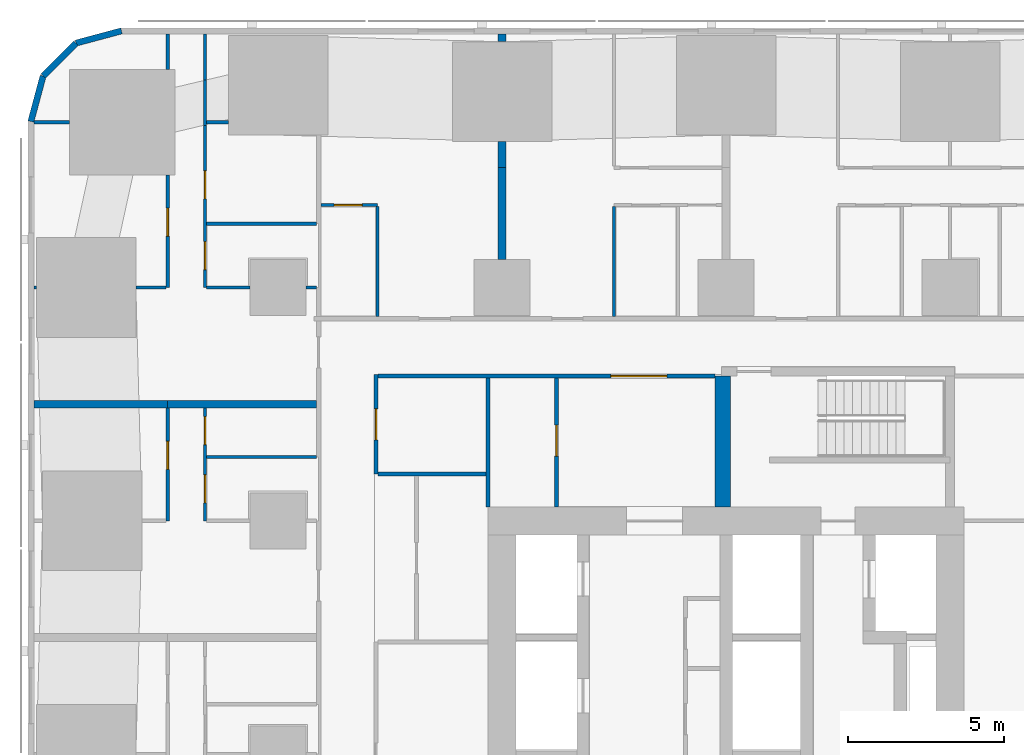
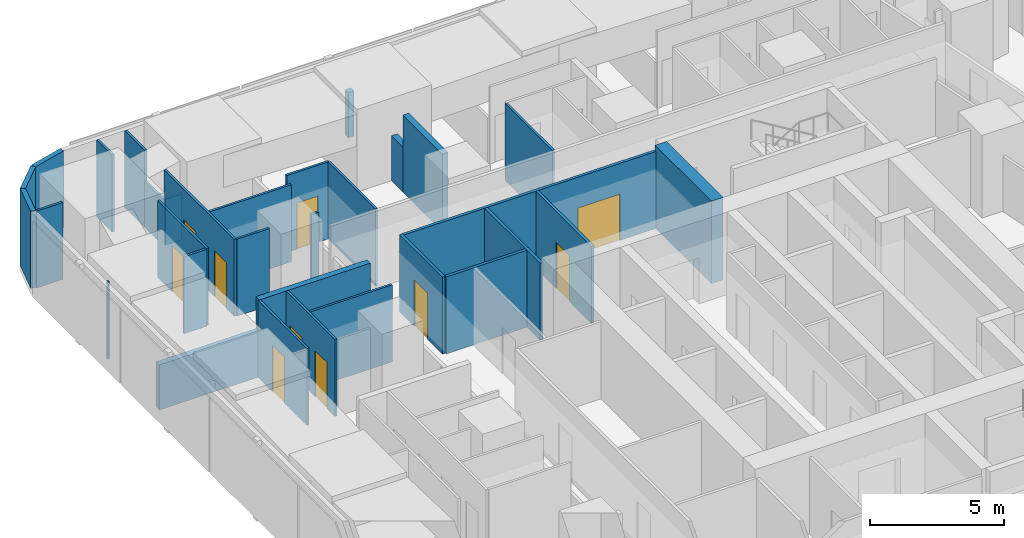
# One storey, part 11 of 17: 32 walls, 10 doors, 10 openings.
"""IFC4 building model written with IfcOpenShell, lengths in metres."""

from ifc_helpers import new_model, si_unit, direction, frame, frame_2d, origin, place, context, subcontext, project, spatial, rectangle, extrude, material, layer, layer_set, type_object, element, fill, save


model = new_model("IFC4")

# Units and contexts
model_context = context("Model", 3, precision=1e-05, world=origin(), true_north=direction((0.0, 1.0)))
body_context = subcontext(model_context, "Body", "Model", "MODEL_VIEW")
ifc_project = project(units=[si_unit("LENGTHUNIT", "METRE"), si_unit("AREAUNIT", "SQUARE_METRE"), si_unit("VOLUMEUNIT", "CUBIC_METRE"), si_unit("PLANEANGLEUNIT", "RADIAN"), si_unit("MASSUNIT", "GRAM", prefix="KILO")], contexts=[model_context])

# Site, building, storey
site_placement = place(None, origin())
site = spatial("IfcSite", under=ifc_project, at=site_placement, CompositionType="ELEMENT")
building_placement = place(site_placement, origin())
building = spatial("IfcBuilding", under=site, at=building_placement, Name="Sheger Commons Tower", CompositionType="ELEMENT")
storey_placement = place(building_placement, frame((0.0, 0.0, 23.75)))
storey = spatial("IfcBuildingStorey", under=building, at=storey_placement, Name="L05", CompositionType="ELEMENT", Elevation=23.75)

# Walls
ifc_material_1 = material(Name="Dense concrete block masonry, plastered both sides (separating wall between flats)", Category="masonry")
ifc_layer_1 = layer(ifc_material_1, 0.25)
ifc_layer_set_1 = layer_set([ifc_layer_1], Name="DEMISING WALL 250")
wall_type_1 = type_object("IfcWallType", Name="DEMISING WALL 250", PredefinedType="SOLIDWALL", material=ifc_layer_set_1)
wall_1_placement = place(storey_placement, frame((-0.64990234375, 33.75, 0.0), z_axis=(0.0, 0.0, 1.0), x_axis=(1.0, 0.0, 0.0)))
element("IfcWall", 1, at=wall_1_placement, inside=storey, type_object=wall_type_1, Name="Demising wall L05", PredefinedType="SOLIDWALL", context=body_context, shape_type="SweptSolid", body=[
    extrude(rectangle(XDim=4.2998046875, YDim=0.25, at=frame_2d((2.14990234375, 0.0))), origin(), (0.0, 0.0, 1.0), 2.050048828125),
])
wall_2_placement = place(storey_placement, frame((3.64990234375, 33.75, 0.0), z_axis=(0.0, 0.0, 1.0), x_axis=(1.0, 0.0, 0.0)))
element("IfcWall", 2, at=wall_2_placement, inside=storey, type_object=wall_type_1, Name="Demising wall L05", PredefinedType="SOLIDWALL", context=body_context, shape_type="SweptSolid", body=[
    extrude(rectangle(XDim=4.775146484375, YDim=0.25, at=frame_2d((2.3876953125, 0.0))), origin(), (0.0, 0.0, 1.0), 3.5),
])
wall_3_placement = place(storey_placement, frame((14.39990234375, 41.35009765625, 0.0), z_axis=(0.0, 0.0, 1.0), x_axis=(0.0, 1.0, 0.0)))
element("IfcWall", 3, at=wall_3_placement, inside=storey, type_object=wall_type_1, Name="Demising wall L05", PredefinedType="SOLIDWALL", context=body_context, shape_type="SweptSolid", body=[
    extrude(rectangle(XDim=0.848876953125, YDim=0.25, at=frame_2d((0.42431640625, 0.0))), origin(), (0.0, 0.0, 1.0), 2.050048828125),
])
wall_4_placement = place(storey_placement, frame((14.39990234375, 45.40087890625, 0.0), z_axis=(0.0, 0.0, 1.0), x_axis=(0.0, 1.0, 0.0)))
element("IfcWall", 4, at=wall_4_placement, inside=storey, type_object=wall_type_1, Name="Demising wall L05", PredefinedType="SOLIDWALL", context=body_context, shape_type="SweptSolid", body=[
    extrude(rectangle(XDim=0.2490234375, YDim=0.25, at=frame_2d((0.12451171875, 0.0))), origin(), (0.0, 0.0, 1.0), 2.050048828125),
])
wall_5_placement = place(storey_placement, frame((14.39990234375, 38.40087890625, 0.0), z_axis=(0.0, 0.0, 1.0), x_axis=(0.0, 1.0, 0.0)))
element("IfcWall", 5, at=wall_5_placement, inside=storey, type_object=wall_type_1, Name="Demising wall L05", PredefinedType="SOLIDWALL", context=body_context, shape_type="SweptSolid", body=[
    extrude(rectangle(XDim=2.94921875, YDim=0.25, at=frame_2d((1.474609375, 0.0))), origin(), (0.0, 0.0, 1.0), 3.5),
])
ifc_material_2 = material(Name="Rendered concrete block masonry, dark grey", Category="masonry")
ifc_layer_2 = layer(ifc_material_2, 0.199951171875)
ifc_layer_set_2 = layer_set([ifc_layer_2], Name="FACADE WALL 200")
wall_type_2 = type_object("IfcWallType", Name="FACADE WALL 200", PredefinedType="SOLIDWALL", material=ifc_layer_set_2)
wall_6_placement = place(storey_placement, frame((2.1630859375, 45.75, 0.0), z_axis=(0.0, 0.0, 1.0), x_axis=(-0.965832000415, -0.259168954497, 0.0)))
element("IfcWall", 6, at=wall_6_placement, inside=storey, type_object=wall_type_2, Name="Facade wall L05", PredefinedType="SOLIDWALL", context=body_context, shape_type="SweptSolid", body=[
    extrude(rectangle(XDim=1.512939453125, YDim=0.199951171875, at=frame_2d((0.75634765625, 0.0))), origin(), (0.0, 0.0, 1.0), 3.5),
])
wall_7_placement = place(storey_placement, frame((0.701904296875, 45.35791015625, 0.0), z_axis=(0.0, 0.0, 1.0), x_axis=(-0.707106781187, -0.707106781187, 0.0)))
element("IfcWall", 7, at=wall_7_placement, inside=storey, type_object=wall_type_2, Name="Facade wall L05", PredefinedType="SOLIDWALL", context=body_context, shape_type="SweptSolid", body=[
    extrude(rectangle(XDim=1.498779296875, YDim=0.199951171875, at=frame_2d((0.74951171875, 0.0))), origin(), (0.0, 0.0, 1.0), 3.5),
])
wall_8_placement = place(storey_placement, frame((-0.35791015625, 44.298095703125, 0.0), z_axis=(0.0, 0.0, 1.0), x_axis=(-0.259168954497, -0.965832000415, 0.0)))
element("IfcWall", 8, at=wall_8_placement, inside=storey, type_object=wall_type_2, Name="Facade wall L05", PredefinedType="SOLIDWALL", context=body_context, shape_type="SweptSolid", body=[
    extrude(rectangle(XDim=1.512939453125, YDim=0.199951171875, at=frame_2d((0.75634765625, 0.0))), origin(), (0.0, 0.0, 1.0), 3.5),
])

# Wall, opening, door
ifc_material_3 = material(Name="Gypsum board on steel studs", Category="steel")
ifc_layer_3 = layer(ifc_material_3, 0.10009765625)
ifc_layer_set_3 = layer_set([ifc_layer_3], Name="PARTITION 100")
wall_type_3 = type_object("IfcWallType", Name="PARTITION 100", PredefinedType="PARTITIONING", material=ifc_layer_set_3)
wall_9_placement = place(storey_placement, frame((3.64990234375, 30.0, 0.0), z_axis=(0.0, 0.0, 1.0), x_axis=(0.0, 1.0, 0.0)))
wall_9 = element("IfcWall", 9, at=wall_9_placement, inside=storey, type_object=wall_type_3, Name="Partition L05", PredefinedType="PARTITIONING", context=body_context, shape_type="SweptSolid", body=[
    extrude(rectangle(XDim=3.625, YDim=0.10009765625, at=frame_2d((1.8125, 0.0))), origin(), (0.0, 0.0, 1.0), 3.5),
])
opening_1_placement = place(wall_9_placement, frame((1.64990234375, 0.0, 0.0)))
opening_1 = element("IfcOpeningElement", 10, at=opening_1_placement, cuts=wall_9, Name="Opening D2", PredefinedType="OPENING", context=body_context, shape_type="SweptSolid", body=[
    extrude(rectangle(XDim=0.89990234375, YDim=2.10009765625, at=frame_2d((0.449951171875, 1.050048828125))), frame((0.0, 0.06005859375, 0.0), z_axis=(0.0, -1.0, 0.0), x_axis=(1.0, 0.0, 0.0)), (0.0, 0.0, 1.0), 0.1201171875),
])
ifc_material_4 = material(Name="Timber door set", Category="wood")
door_type_1 = type_object("IfcDoorType", Name="INTERNAL DOOR 900x2100", OperationType="NOTDEFINED", PredefinedType="DOOR", material=ifc_material_4)
door_1_placement = place(opening_1_placement, origin())
door_1 = element("IfcDoor", 11, at=door_1_placement, inside=storey, type_object=door_type_1, Name="Main bedroom door", OperationType="SINGLE_SWING_RIGHT", OverallHeight=2.10009765625, OverallWidth=0.89990234375, PredefinedType="DOOR", context=body_context, shape_type="SweptSolid", body=[
    extrude(rectangle(XDim=0.89990234375, YDim=2.10009765625, at=frame_2d((0.449951171875, 1.050048828125))), frame((0.0, 0.02490234375, 0.0), z_axis=(0.0, -1.0, 0.0), x_axis=(1.0, 0.0, 0.0)), (0.0, 0.0, 1.0), 0.050048828125),
])
fill(opening_1, door_1)

# Wall, openings, doors
wall_10_placement = place(storey_placement, frame((4.85009765625, 30.0, 0.0), z_axis=(0.0, 0.0, 1.0), x_axis=(0.0, 1.0, 0.0)))
wall_10 = element("IfcWall", 12, at=wall_10_placement, inside=storey, type_object=wall_type_3, Name="Partition L05", PredefinedType="PARTITIONING", context=body_context, shape_type="SweptSolid", body=[
    extrude(rectangle(XDim=3.625, YDim=0.10009765625, at=frame_2d((1.8125, 0.0))), origin(), (0.0, 0.0, 1.0), 3.5),
])
opening_2_placement = place(wall_10_placement, frame((0.574951171875, 0.0, 0.0)))
opening_2 = element("IfcOpeningElement", 13, at=opening_2_placement, cuts=wall_10, Name="Opening D2", PredefinedType="OPENING", context=body_context, shape_type="SweptSolid", body=[
    extrude(rectangle(XDim=0.89990234375, YDim=2.10009765625, at=frame_2d((0.449951171875, 1.050048828125))), frame((0.0, 0.06005859375, 0.0), z_axis=(0.0, -1.0, 0.0), x_axis=(1.0, 0.0, 0.0)), (0.0, 0.0, 1.0), 0.1201171875),
])
opening_3_placement = place(wall_10_placement, frame((2.449951171875, 0.0, 0.0)))
opening_3 = element("IfcOpeningElement", 14, at=opening_3_placement, cuts=wall_10, Name="Opening D2", PredefinedType="OPENING", context=body_context, shape_type="SweptSolid", body=[
    extrude(rectangle(XDim=0.89990234375, YDim=2.10009765625, at=frame_2d((0.449951171875, 1.050048828125))), frame((0.0, 0.06005859375, 0.0), z_axis=(0.0, -1.0, 0.0), x_axis=(1.0, 0.0, 0.0)), (0.0, 0.0, 1.0), 0.1201171875),
])
door_2_placement = place(opening_2_placement, origin())
door_2 = element("IfcDoor", 15, at=door_2_placement, inside=storey, type_object=door_type_1, Name="Bathroom door", OperationType="SINGLE_SWING_RIGHT", OverallHeight=2.10009765625, OverallWidth=0.89990234375, PredefinedType="DOOR", context=body_context, shape_type="SweptSolid", body=[
    extrude(rectangle(XDim=0.89990234375, YDim=2.10009765625, at=frame_2d((0.449951171875, 1.050048828125))), frame((0.0, 0.02490234375, 0.0), z_axis=(0.0, -1.0, 0.0), x_axis=(1.0, 0.0, 0.0)), (0.0, 0.0, 1.0), 0.050048828125),
])
fill(opening_2, door_2)
door_3_placement = place(opening_3_placement, origin())
door_3 = element("IfcDoor", 16, at=door_3_placement, inside=storey, type_object=door_type_1, Name="Store door", OperationType="SINGLE_SWING_LEFT", OverallHeight=2.10009765625, OverallWidth=0.89990234375, PredefinedType="DOOR", context=body_context, shape_type="SweptSolid", body=[
    extrude(rectangle(XDim=0.89990234375, YDim=2.10009765625, at=frame_2d((0.449951171875, 1.050048828125))), frame((0.0, 0.02490234375, 0.0), z_axis=(0.0, -1.0, 0.0), x_axis=(1.0, 0.0, 0.0)), (0.0, 0.0, 1.0), 0.050048828125),
])
fill(opening_3, door_3)

# Wall
wall_11_placement = place(storey_placement, frame((4.89990234375, 32.050048828125, 0.0), z_axis=(0.0, 0.0, 1.0), x_axis=(1.0, 0.0, 0.0)))
element("IfcWall", 17, at=wall_11_placement, inside=storey, type_object=wall_type_3, Name="Partition L05", PredefinedType="PARTITIONING", context=body_context, shape_type="SweptSolid", body=[
    extrude(rectangle(XDim=3.525146484375, YDim=0.10009765625, at=frame_2d((1.7626953125, 0.0))), origin(), (0.0, 0.0, 1.0), 3.5),
])

# Wall, opening, door
wall_12_placement = place(storey_placement, frame((3.64990234375, 37.5, 0.0), z_axis=(0.0, 0.0, 1.0), x_axis=(0.0, 1.0, 0.0)))
wall_12 = element("IfcWall", 18, at=wall_12_placement, inside=storey, type_object=wall_type_3, Name="Partition L05", PredefinedType="PARTITIONING", context=body_context, shape_type="SweptSolid", body=[
    extrude(rectangle(XDim=3.613037109375, YDim=0.10009765625, at=frame_2d((1.806640625, 0.0))), origin(), (0.0, 0.0, 1.0), 3.5),
])
opening_4_placement = place(wall_12_placement, frame((1.64990234375, 0.0, 0.0)))
opening_4 = element("IfcOpeningElement", 19, at=opening_4_placement, cuts=wall_12, Name="Opening D2", PredefinedType="OPENING", context=body_context, shape_type="SweptSolid", body=[
    extrude(rectangle(XDim=0.89990234375, YDim=2.10009765625, at=frame_2d((0.449951171875, 1.050048828125))), frame((0.0, 0.06005859375, 0.0), z_axis=(0.0, -1.0, 0.0), x_axis=(1.0, 0.0, 0.0)), (0.0, 0.0, 1.0), 0.1201171875),
])
door_4_placement = place(opening_4_placement, origin())
door_4 = element("IfcDoor", 20, at=door_4_placement, inside=storey, type_object=door_type_1, Name="Main bedroom door", OperationType="SINGLE_SWING_RIGHT", OverallHeight=2.10009765625, OverallWidth=0.89990234375, PredefinedType="DOOR", context=body_context, shape_type="SweptSolid", body=[
    extrude(rectangle(XDim=0.89990234375, YDim=2.10009765625, at=frame_2d((0.449951171875, 1.050048828125))), frame((0.0, 0.02490234375, 0.0), z_axis=(0.0, -1.0, 0.0), x_axis=(1.0, 0.0, 0.0)), (0.0, 0.0, 1.0), 0.050048828125),
])
fill(opening_4, door_4)

# Wall
wall_13_placement = place(storey_placement, frame((3.64990234375, 44.514892578125, 0.0), z_axis=(0.0, 0.0, 1.0), x_axis=(0.0, 1.0, 0.0)))
element("IfcWall", 21, at=wall_13_placement, inside=storey, type_object=wall_type_3, Name="Partition L05", PredefinedType="PARTITIONING", context=body_context, shape_type="SweptSolid", body=[
    extrude(rectangle(XDim=1.135009765625, YDim=0.10009765625, at=frame_2d((0.5673828125, 0.0))), origin(), (0.0, 0.0, 1.0), 3.5),
])

# Wall, openings, doors
wall_14_placement = place(storey_placement, frame((4.85009765625, 37.5, 0.0), z_axis=(0.0, 0.0, 1.0), x_axis=(0.0, 1.0, 0.0)))
wall_14 = element("IfcWall", 22, at=wall_14_placement, inside=storey, type_object=wall_type_3, Name="Partition L05", PredefinedType="PARTITIONING", context=body_context, shape_type="SweptSolid", body=[
    extrude(rectangle(XDim=5.212890625, YDim=0.10009765625, at=frame_2d((2.6064453125, 0.0))), origin(), (0.0, 0.0, 1.0), 3.5),
])
opening_5_placement = place(wall_14_placement, frame((0.574951171875, 0.0, 0.0)))
opening_5 = element("IfcOpeningElement", 23, at=opening_5_placement, cuts=wall_14, Name="Opening D2", PredefinedType="OPENING", context=body_context, shape_type="SweptSolid", body=[
    extrude(rectangle(XDim=0.89990234375, YDim=2.10009765625, at=frame_2d((0.449951171875, 1.050048828125))), frame((0.0, 0.06005859375, 0.0), z_axis=(0.0, -1.0, 0.0), x_axis=(1.0, 0.0, 0.0)), (0.0, 0.0, 1.0), 0.1201171875),
])
opening_6_placement = place(wall_14_placement, frame((2.85009765625, 0.0, 0.0)))
opening_6 = element("IfcOpeningElement", 24, at=opening_6_placement, cuts=wall_14, Name="Opening D2", PredefinedType="OPENING", context=body_context, shape_type="SweptSolid", body=[
    extrude(rectangle(XDim=0.89990234375, YDim=2.10009765625, at=frame_2d((0.449951171875, 1.050048828125))), frame((0.0, 0.06005859375, 0.0), z_axis=(0.0, -1.0, 0.0), x_axis=(1.0, 0.0, 0.0)), (0.0, 0.0, 1.0), 0.1201171875),
])
door_5_placement = place(opening_5_placement, origin())
door_5 = element("IfcDoor", 25, at=door_5_placement, inside=storey, type_object=door_type_1, Name="Bathroom door", OperationType="SINGLE_SWING_RIGHT", OverallHeight=2.10009765625, OverallWidth=0.89990234375, PredefinedType="DOOR", context=body_context, shape_type="SweptSolid", body=[
    extrude(rectangle(XDim=0.89990234375, YDim=2.10009765625, at=frame_2d((0.449951171875, 1.050048828125))), frame((0.0, 0.02490234375, 0.0), z_axis=(0.0, -1.0, 0.0), x_axis=(1.0, 0.0, 0.0)), (0.0, 0.0, 1.0), 0.050048828125),
])
fill(opening_5, door_5)
door_6_placement = place(opening_6_placement, origin())
door_6 = element("IfcDoor", 26, at=door_6_placement, inside=storey, type_object=door_type_1, Name="Store door", OperationType="SINGLE_SWING_RIGHT", OverallHeight=2.10009765625, OverallWidth=0.89990234375, PredefinedType="DOOR", context=body_context, shape_type="SweptSolid", body=[
    extrude(rectangle(XDim=0.89990234375, YDim=2.10009765625, at=frame_2d((0.449951171875, 1.050048828125))), frame((0.0, 0.02490234375, 0.0), z_axis=(0.0, -1.0, 0.0), x_axis=(1.0, 0.0, 0.0)), (0.0, 0.0, 1.0), 0.050048828125),
])
fill(opening_6, door_6)

# Walls
wall_15_placement = place(storey_placement, frame((4.85009765625, 42.712890625, 0.0), z_axis=(0.0, 0.0, 1.0), x_axis=(0.0, 1.0, 0.0)))
element("IfcWall", 27, at=wall_15_placement, inside=storey, type_object=wall_type_3, Name="Partition L05", PredefinedType="PARTITIONING", context=body_context, shape_type="SweptSolid", body=[
    extrude(rectangle(XDim=1.462158203125, YDim=0.10009765625, at=frame_2d((0.73095703125, 0.0))), origin(), (0.0, 0.0, 1.0), 2.10009765625),
])
wall_16_placement = place(storey_placement, frame((4.85009765625, 44.175048828125, 0.0), z_axis=(0.0, 0.0, 1.0), x_axis=(0.0, 1.0, 0.0)))
element("IfcWall", 28, at=wall_16_placement, inside=storey, type_object=wall_type_3, Name="Partition L05", PredefinedType="PARTITIONING", context=body_context, shape_type="SweptSolid", body=[
    extrude(rectangle(XDim=1.474853515625, YDim=0.10009765625, at=frame_2d((0.7373046875, 0.0))), origin(), (0.0, 0.0, 1.0), 3.5),
])
wall_17_placement = place(storey_placement, frame((-0.64990234375, 37.5, 0.0), z_axis=(0.0, 0.0, 1.0), x_axis=(1.0, 0.0, 0.0)))
element("IfcWall", 29, at=wall_17_placement, inside=storey, type_object=wall_type_3, Name="Partition L05", PredefinedType="PARTITIONING", context=body_context, shape_type="SweptSolid", body=[
    extrude(rectangle(XDim=0.073974609375, YDim=0.10009765625, at=frame_2d((0.037109375, 0.0))), origin(), (0.0, 0.0, 1.0), 3.5),
])
wall_18_placement = place(storey_placement, frame((2.6259765625, 37.5, 0.0), z_axis=(0.0, 0.0, 1.0), x_axis=(1.0, 0.0, 0.0)))
element("IfcWall", 30, at=wall_18_placement, inside=storey, type_object=wall_type_3, Name="Partition L05", PredefinedType="PARTITIONING", context=body_context, shape_type="SweptSolid", body=[
    extrude(rectangle(XDim=0.97412109375, YDim=0.10009765625, at=frame_2d((0.487060546875, 0.0))), origin(), (0.0, 0.0, 1.0), 3.5),
])
wall_19_placement = place(storey_placement, frame((-0.64990234375, 42.81396484375, 0.0), z_axis=(0.0, 0.0, 1.0), x_axis=(1.0, 0.0, 0.0)))
element("IfcWall", 31, at=wall_19_placement, inside=storey, type_object=wall_type_3, Name="Partition L05", PredefinedType="PARTITIONING", context=body_context, shape_type="SweptSolid", body=[
    extrude(rectangle(XDim=1.135009765625, YDim=0.10009765625, at=frame_2d((0.5673828125, 0.0))), origin(), (0.0, 0.0, 1.0), 3.5),
])
wall_20_placement = place(storey_placement, frame((4.89990234375, 37.5, 0.0), z_axis=(0.0, 0.0, 1.0), x_axis=(1.0, 0.0, 0.0)))
element("IfcWall", 32, at=wall_20_placement, inside=storey, type_object=wall_type_3, Name="Partition L05", PredefinedType="PARTITIONING", context=body_context, shape_type="SweptSolid", body=[
    extrude(rectangle(XDim=1.399169921875, YDim=0.10009765625, at=frame_2d((0.69970703125, 0.0))), origin(), (0.0, 0.0, 1.0), 3.5),
])
wall_21_placement = place(storey_placement, frame((8.10107421875, 37.5, 0.0), z_axis=(0.0, 0.0, 1.0), x_axis=(1.0, 0.0, 0.0)))
element("IfcWall", 33, at=wall_21_placement, inside=storey, type_object=wall_type_3, Name="Partition L05", PredefinedType="PARTITIONING", context=body_context, shape_type="SweptSolid", body=[
    extrude(rectangle(XDim=0.323974609375, YDim=0.10009765625, at=frame_2d((0.162109375, 0.0))), origin(), (0.0, 0.0, 1.0), 3.5),
])
wall_22_placement = place(storey_placement, frame((4.89990234375, 42.81396484375, 0.0), z_axis=(0.0, 0.0, 1.0), x_axis=(1.0, 0.0, 0.0)))
element("IfcWall", 34, at=wall_22_placement, inside=storey, type_object=wall_type_3, Name="Partition L05", PredefinedType="PARTITIONING", context=body_context, shape_type="SweptSolid", body=[
    extrude(rectangle(XDim=0.69921875, YDim=0.10009765625, at=frame_2d((0.349609375, 0.0))), origin(), (0.0, 0.0, 1.0), 2.10009765625),
])
wall_23_placement = place(storey_placement, frame((4.89990234375, 39.550048828125, 0.0), z_axis=(0.0, 0.0, 1.0), x_axis=(1.0, 0.0, 0.0)))
element("IfcWall", 35, at=wall_23_placement, inside=storey, type_object=wall_type_3, Name="Partition L05", PredefinedType="PARTITIONING", context=body_context, shape_type="SweptSolid", body=[
    extrude(rectangle(XDim=3.525146484375, YDim=0.10009765625, at=frame_2d((1.7626953125, 0.0))), origin(), (0.0, 0.0, 1.0), 3.5),
])

# Wall, opening, door
wall_24_placement = place(storey_placement, frame((8.574951171875, 40.14990234375, 0.0), z_axis=(0.0, 0.0, 1.0), x_axis=(1.0, 0.0, 0.0)))
wall_24 = element("IfcWall", 36, at=wall_24_placement, inside=storey, type_object=wall_type_3, Name="Partition L05", PredefinedType="PARTITIONING", context=body_context, shape_type="SweptSolid", body=[
    extrude(rectangle(XDim=1.81494140625, YDim=0.10009765625, at=frame_2d((0.907470703125, 0.0))), origin(), (0.0, 0.0, 1.0), 3.5),
])
opening_7_placement = place(wall_24_placement, frame((0.425048828125, 0.0, 0.0)))
opening_7 = element("IfcOpeningElement", 37, at=opening_7_placement, cuts=wall_24, Name="Opening D2", PredefinedType="OPENING", context=body_context, shape_type="SweptSolid", body=[
    extrude(rectangle(XDim=0.89990234375, YDim=2.10009765625, at=frame_2d((0.449951171875, 1.050048828125))), frame((0.0, 0.06005859375, 0.0), z_axis=(0.0, -1.0, 0.0), x_axis=(1.0, 0.0, 0.0)), (0.0, 0.0, 1.0), 0.1201171875),
])
door_7_placement = place(opening_7_placement, origin())
door_7 = element("IfcDoor", 38, at=door_7_placement, inside=storey, type_object=door_type_1, Name="Shower room door", OperationType="SINGLE_SWING_RIGHT", OverallHeight=2.10009765625, OverallWidth=0.89990234375, PredefinedType="DOOR", context=body_context, shape_type="SweptSolid", body=[
    extrude(rectangle(XDim=0.89990234375, YDim=2.10009765625, at=frame_2d((0.449951171875, 1.050048828125))), frame((0.0, 0.02490234375, 0.0), z_axis=(0.0, -1.0, 0.0), x_axis=(1.0, 0.0, 0.0)), (0.0, 0.0, 1.0), 0.050048828125),
])
fill(opening_7, door_7)

# Walls
for number, where, z_axis, x_axis, name in (
    (39, (10.389892578125, 36.574951171875, 0.0), (0.0, 0.0, 1.0), (0.0, 1.0, 0.0), "Partition L05"),
    (40, (18.0, 36.574951171875, 0.0), (0.0, 0.0, 1.0), (0.0, 1.0, 0.0), "Partition L05"),
):
    element("IfcWall", number, at=place(storey_placement, frame(where, z_axis=z_axis, x_axis=x_axis)), inside=storey, type_object=wall_type_3, Name=name, PredefinedType="PARTITIONING", context=body_context, shape_type="SweptSolid", body=[
        extrude(rectangle(XDim=3.525146484375, YDim=0.10009765625, at=frame_2d((1.7626953125, 0.0))), origin(), (0.0, 0.0, 1.0), 3.5),
    ])

# Wall, opening, door
ifc_material_5 = material(Name="Gypsum board on steel studs, two layers each side, fire rated", Category="steel")
ifc_layer_4 = layer(ifc_material_5, 0.125)
ifc_layer_set_4 = layer_set([ifc_layer_4], Name="SERVICE WALL 125")
wall_type_4 = type_object("IfcWallType", Name="SERVICE WALL 125", PredefinedType="PARTITIONING", material=ifc_layer_set_4)
wall_25_placement = place(storey_placement, frame((10.35009765625, 31.5, 0.0), z_axis=(0.0, 0.0, 1.0), x_axis=(0.0, 1.0, 0.0)))
wall_25 = element("IfcWall", 41, at=wall_25_placement, inside=storey, type_object=wall_type_4, Name="Service room wall L05", PredefinedType="PARTITIONING", context=body_context, shape_type="SweptSolid", body=[
    extrude(rectangle(XDim=3.199951171875, YDim=0.125, at=frame_2d((1.60009765625, 0.0))), origin(), (0.0, 0.0, 1.0), 3.5),
])
opening_8_placement = place(wall_25_placement, frame((1.10009765625, 0.0, 0.0)))
opening_8 = element("IfcOpeningElement", 42, at=opening_8_placement, cuts=wall_25, Name="Opening D4", PredefinedType="OPENING", context=body_context, shape_type="SweptSolid", body=[
    extrude(rectangle(XDim=1.0, YDim=2.10009765625, at=frame_2d((0.5, 1.050048828125))), frame((0.0, 0.072509765625, 0.0), z_axis=(0.0, -1.0, 0.0), x_axis=(1.0, 0.0, 0.0)), (0.0, 0.0, 1.0), 0.14501953125),
])
ifc_material_6 = material(Name="Steel door set, fire rated", Category="steel")
door_type_2 = type_object("IfcDoorType", Name="SERVICE DOOR 1000x2100", OperationType="NOTDEFINED", PredefinedType="DOOR", material=ifc_material_6)
door_8_placement = place(opening_8_placement, origin())
door_8 = element("IfcDoor", 43, at=door_8_placement, inside=storey, type_object=door_type_2, Name="Cleaner's store door", OperationType="SINGLE_SWING_LEFT", OverallHeight=2.10009765625, OverallWidth=1.0, PredefinedType="DOOR", context=body_context, shape_type="SweptSolid", body=[
    extrude(rectangle(XDim=1.0, YDim=2.10009765625, at=frame_2d((0.5, 1.050048828125))), frame((0.0, 0.02490234375, 0.0), z_axis=(0.0, -1.0, 0.0), x_axis=(1.0, 0.0, 0.0)), (0.0, 0.0, 1.0), 0.050048828125),
])
fill(opening_8, door_8)

# Walls
wall_26_placement = place(storey_placement, frame((10.4130859375, 31.5, 0.0), z_axis=(0.0, 0.0, 1.0), x_axis=(1.0, 0.0, 0.0)))
element("IfcWall", 44, at=wall_26_placement, inside=storey, type_object=wall_type_4, Name="Service room wall L05", PredefinedType="PARTITIONING", context=body_context, shape_type="SweptSolid", body=[
    extrude(rectangle(XDim=3.474853515625, YDim=0.125, at=frame_2d((1.7373046875, 0.0))), origin(), (0.0, 0.0, 1.0), 3.5),
])
wall_27_placement = place(storey_placement, frame((13.949951171875, 30.449951171875, 0.0), z_axis=(0.0, 0.0, 1.0), x_axis=(0.0, 1.0, 0.0)))
element("IfcWall", 45, at=wall_27_placement, inside=storey, type_object=wall_type_4, Name="Service room wall L05", PredefinedType="PARTITIONING", context=body_context, shape_type="SweptSolid", body=[
    extrude(rectangle(XDim=4.136962890625, YDim=0.125, at=frame_2d((2.068359375, 0.0))), origin(), (0.0, 0.0, 1.0), 3.5),
])

# Wall, opening, door
wall_28_placement = place(storey_placement, frame((10.4130859375, 34.64990234375, 0.0), z_axis=(0.0, 0.0, 1.0), x_axis=(1.0, 0.0, 0.0)))
wall_28 = element("IfcWall", 46, at=wall_28_placement, inside=storey, type_object=wall_type_4, Name="Service room wall L05", PredefinedType="PARTITIONING", context=body_context, shape_type="SweptSolid", body=[
    extrude(rectangle(XDim=10.8369140625, YDim=0.125, at=frame_2d((5.41845703125, 0.0))), origin(), (0.0, 0.0, 1.0), 3.5),
])
opening_9_placement = place(wall_28_placement, frame((7.487060546875, 0.0, 0.0)))
opening_9 = element("IfcOpeningElement", 47, at=opening_9_placement, cuts=wall_28, Name="Opening D6", PredefinedType="OPENING", context=body_context, shape_type="SweptSolid", body=[
    extrude(rectangle(XDim=1.800048828125, YDim=2.10009765625, at=frame_2d((0.89990234375, 1.050048828125))), frame((0.0, 0.072509765625, 0.0), z_axis=(0.0, -1.0, 0.0), x_axis=(1.0, 0.0, 0.0)), (0.0, 0.0, 1.0), 0.14501953125),
])
ifc_material_7 = material(Name="Steel door set, fire rated", Category="steel")
door_type_3 = type_object("IfcDoorType", Name="LOBBY DOUBLE DOOR 1800x2100", OperationType="DOUBLE_DOOR_SINGLE_SWING", PredefinedType="DOOR", material=ifc_material_7)
door_9_placement = place(opening_9_placement, origin())
door_9 = element("IfcDoor", 48, at=door_9_placement, inside=storey, type_object=door_type_3, Name="Lift lobby north door", OperationType="DOUBLE_DOOR_SINGLE_SWING", OverallHeight=2.10009765625, OverallWidth=1.800048828125, PredefinedType="DOOR", context=body_context, shape_type="SweptSolid", body=[
    extrude(rectangle(XDim=1.800048828125, YDim=2.10009765625, at=frame_2d((0.89990234375, 1.050048828125))), frame((0.0, 0.02490234375, 0.0), z_axis=(0.0, -1.0, 0.0), x_axis=(1.0, 0.0, 0.0)), (0.0, 0.0, 1.0), 0.050048828125),
])
fill(opening_9, door_9)

wall_29_placement = place(storey_placement, frame((16.14990234375, 30.449951171875, 0.0), z_axis=(0.0, 0.0, 1.0), x_axis=(0.0, 1.0, 0.0)))
wall_29 = element("IfcWall", 49, at=wall_29_placement, inside=storey, type_object=wall_type_4, Name="Service room wall L05", PredefinedType="PARTITIONING", context=body_context, shape_type="SweptSolid", body=[
    extrude(rectangle(XDim=4.136962890625, YDim=0.125, at=frame_2d((2.068359375, 0.0))), origin(), (0.0, 0.0, 1.0), 3.5),
])
opening_10_placement = place(wall_29_placement, frame((1.625, 0.0, 0.0)))
opening_10 = element("IfcOpeningElement", 50, at=opening_10_placement, cuts=wall_29, Name="Opening D4", PredefinedType="OPENING", context=body_context, shape_type="SweptSolid", body=[
    extrude(rectangle(XDim=1.0, YDim=2.10009765625, at=frame_2d((0.5, 1.050048828125))), frame((0.0, 0.072509765625, 0.0), z_axis=(0.0, -1.0, 0.0), x_axis=(1.0, 0.0, 0.0)), (0.0, 0.0, 1.0), 0.14501953125),
])
door_10_placement = place(opening_10_placement, origin())
door_10 = element("IfcDoor", 51, at=door_10_placement, inside=storey, type_object=door_type_2, Name="Telecom room door", OperationType="SINGLE_SWING_RIGHT", OverallHeight=2.10009765625, OverallWidth=1.0, PredefinedType="DOOR", context=body_context, shape_type="SweptSolid", body=[
    extrude(rectangle(XDim=1.0, YDim=2.10009765625, at=frame_2d((0.5, 1.050048828125))), frame((0.0, 0.02490234375, 0.0), z_axis=(0.0, -1.0, 0.0), x_axis=(1.0, 0.0, 0.0)), (0.0, 0.0, 1.0), 0.050048828125),
])
fill(opening_10, door_10)

# Wall
ifc_material_8 = material(Name="Concrete C50/60", Category="concrete")
ifc_layer_5 = layer(ifc_material_8, 0.5)
ifc_layer_set_5 = layer_set([ifc_layer_5], Name="STAIR CORE WALL 500")
wall_type_5 = type_object("IfcWallType", Name="STAIR CORE WALL 500", PredefinedType="SHEAR", material=ifc_layer_set_5)
wall_30_placement = place(storey_placement, frame((21.5, 30.449951171875, 0.0), z_axis=(0.0, 0.0, 1.0), x_axis=(0.0, 1.0, 0.0)))
element("IfcWall", 52, at=wall_30_placement, inside=storey, type_object=wall_type_5, Name="STW-L05-S2W", PredefinedType="SHEAR", context=body_context, shape_type="SweptSolid", body=[
    extrude(rectangle(XDim=4.199951171875, YDim=0.5, at=frame_2d((2.10009765625, 0.0))), origin(), (0.0, 0.0, 1.0), 3.75),
])

save(model, "model.ifc")
